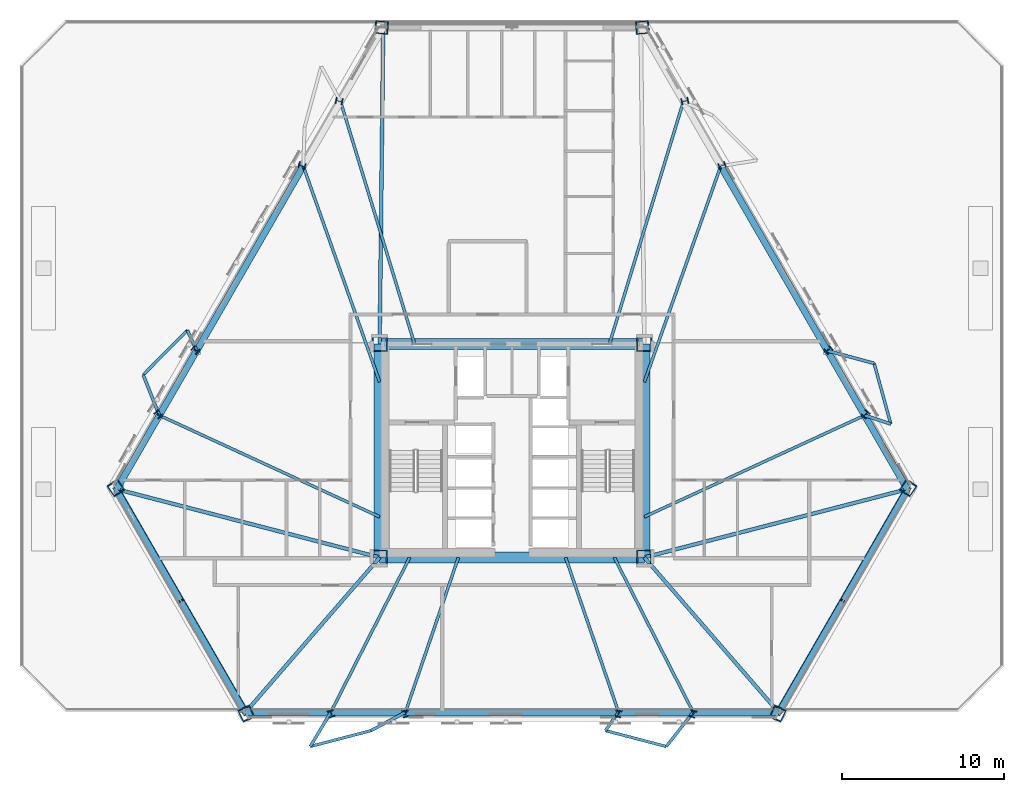
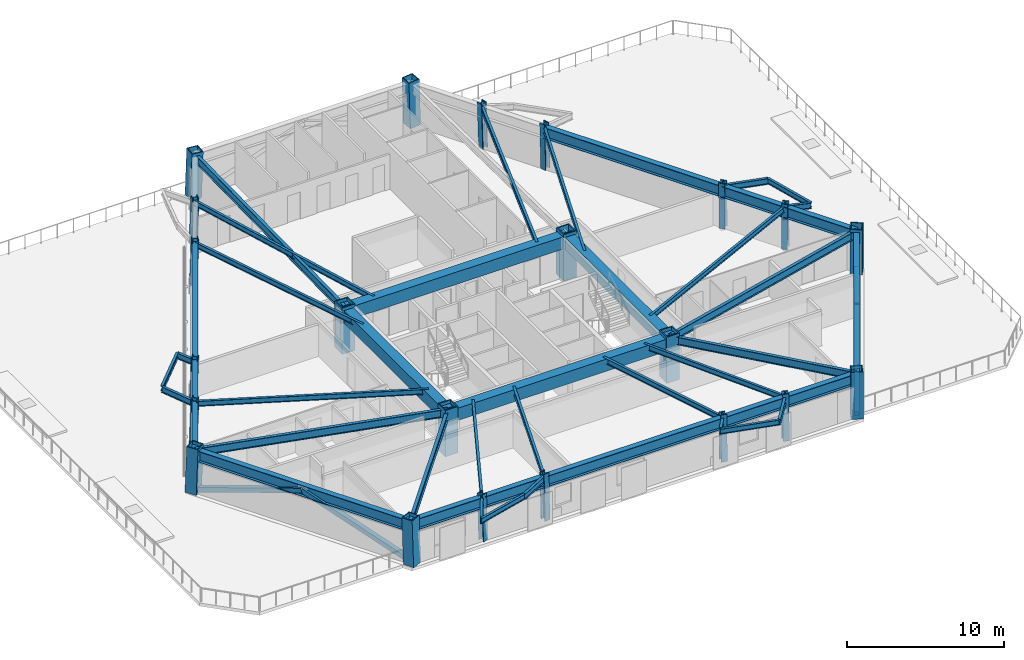
# One storey, part 1 of 14: 44 beams, 22 columns, 4 members.
"""IFC4 building model written with IfcOpenShell, lengths in metres."""

import ifcopenshell
import ifcopenshell.guid

model = None  # the IFC model being written
_history = None  # IfcOwnerHistory: only IFC2X3 demands one
_inside = {}  # id of a spatial element -> (the spatial element, [elements in it])
_under = {}  # id of a project, library or spatial element -> (it, [spatial elements below it])
_declared = {}  # id of a project -> (the project, [libraries it declares])
_typed = {}  # id of a type object -> (the type object, [elements of that type])
_made_of = {}  # id of a material, layer set ... -> (it, [elements and type objects made of it])


def new_model(schema):
    """Start an empty IFC model of exactly this schema.

    Asked for "IFC4X3", IfcOpenShell would pick the latest addendum, in which some entities
    have other attributes; the version numbers below select the first issue.
    IFC2X3 requires an IfcOwnerHistory on every rooted entity: one is made here for all.
    """
    global model, _history
    if schema == "IFC4X3":
        model = ifcopenshell.file(schema_version=(4, 3, 0, 0))
    else:
        model = ifcopenshell.file(schema=schema)
    _inside.clear()
    _under.clear()
    _declared.clear()
    _typed.clear()
    _made_of.clear()
    _history = None
    if model.schema == "IFC2X3":
        org = make("IfcOrganization", Name="unknown")
        user = make(
            "IfcPersonAndOrganization",
            ThePerson=make("IfcPerson", FamilyName="unknown"),
            TheOrganization=org,
        )
        app = make(
            "IfcApplication",
            ApplicationDeveloper=org,
            Version="unknown",
            ApplicationFullName="unknown",
            ApplicationIdentifier="unknown",
        )
        _history = make(
            "IfcOwnerHistory",
            OwningUser=user,
            OwningApplication=app,
            ChangeAction="ADDED",
            CreationDate=0,
        )
    return model


def make(cls, **values):
    """One entity of the class cls with the attributes given. An attribute that is None is left unset."""
    return model.create_entity(
        cls, **{name: value for name, value in values.items() if value is not None}
    )


def rooted(cls, **values):
    """An entity with a GlobalId (a new one), such as an element, a storey or a relation."""
    return make(cls, GlobalId=ifcopenshell.guid.new(), OwnerHistory=_history, **values)


def si_unit(unit_type, name, prefix=None):
    """IfcSIUnit, for example si_unit("LENGTHUNIT", "METRE", prefix="MILLI")."""
    return make("IfcSIUnit", UnitType=unit_type, Prefix=prefix, Name=name)


def assignment(units):
    """IfcUnitAssignment: the units of a project."""
    return None if units is None else make("IfcUnitAssignment", Units=units)


def point(xyz):
    """IfcCartesianPoint."""
    return None if xyz is None else make("IfcCartesianPoint", Coordinates=xyz)


def direction(xyz):
    """IfcDirection."""
    return None if xyz is None else make("IfcDirection", DirectionRatios=xyz)


def frame(location, z_axis=None, x_axis=None):
    """IfcAxis2Placement3D, a coordinate frame: its origin and axes. An axis left out is left unset."""
    return make(
        "IfcAxis2Placement3D",
        Location=point(location),
        Axis=direction(z_axis),
        RefDirection=direction(x_axis),
    )


def frame_2d(location, x_axis=None):
    """IfcAxis2Placement2D, a coordinate frame in the plane: its origin and x axis."""
    return make(
        "IfcAxis2Placement2D", Location=point(location), RefDirection=direction(x_axis)
    )


def origin():
    """The frame at (0, 0, 0) with its axes left unset."""
    return frame((0.0, 0.0, 0.0))


def origin_2d():
    """The frame at (0, 0) in the plane with its x axis left unset."""
    return frame_2d((0.0, 0.0))


def place(relative_to, where):
    """IfcLocalPlacement: puts the frame where relative to a parent placement (None: the world)."""
    return make(
        "IfcLocalPlacement", PlacementRelTo=relative_to, RelativePlacement=where
    )


def context(
    kind, dimensions, precision=None, world=None, true_north=None, identifier=None
):
    """IfcGeometricRepresentationContext, for example the 3D "Model" context."""
    return make(
        "IfcGeometricRepresentationContext",
        ContextIdentifier=identifier,
        ContextType=kind,
        CoordinateSpaceDimension=dimensions,
        Precision=precision,
        WorldCoordinateSystem=world,
        TrueNorth=true_north,
    )


def subcontext(parent, identifier, kind, view, scale=None):
    """IfcGeometricRepresentationSubContext, for example "Body" below "Model"."""
    return make(
        "IfcGeometricRepresentationSubContext",
        ContextIdentifier=identifier,
        ContextType=kind,
        ParentContext=parent,
        TargetScale=scale,
        TargetView=view,
    )


def project(units=None, contexts=None):
    """IfcProject with its units and contexts."""
    return rooted(
        "IfcProject",
        Name="project",
        RepresentationContexts=contexts,
        UnitsInContext=assignment(units),
    )


def spatial(cls, under=None, at=None, **own):
    """A site, building, storey or space (cls), placed at a placement, below another one or the project."""
    s = rooted(cls, ObjectPlacement=at, **own)
    if under is not None:
        _under.setdefault(under.id(), (under, []))[1].append(s)
    return s


def profile(cls, at=None, kind="AREA", **sizes):
    """A parametric profile (cls). Its sizes go by their IFC names, for example OverallWidth=200.0."""
    return make(cls, ProfileType=kind, Position=at, **sizes)


def rectangle(**sizes):
    """IfcRectangleProfileDef."""
    return profile("IfcRectangleProfileDef", **sizes)


def hollow_rectangle(**sizes):
    """IfcRectangleHollowProfileDef."""
    return profile("IfcRectangleHollowProfileDef", **sizes)


def i_section(**sizes):
    """IfcIShapeProfileDef."""
    return profile("IfcIShapeProfileDef", **sizes)


def extrude(swept, where, along, depth):
    """IfcExtrudedAreaSolid: the profile swept, set in the frame where, extruded along a direction by depth."""
    return make(
        "IfcExtrudedAreaSolid",
        SweptArea=swept,
        Position=where,
        ExtrudedDirection=direction(along),
        Depth=depth,
    )


def shape(context_of_items, identifier, shape_type, items):
    """IfcShapeRepresentation: the items that make up one representation, for example the "Body"."""
    return make(
        "IfcShapeRepresentation",
        ContextOfItems=context_of_items,
        RepresentationIdentifier=identifier,
        RepresentationType=shape_type,
        Items=items,
    )


def material(Name=None, Category=None):
    """IfcMaterial."""
    return make("IfcMaterial", Name=Name, Category=Category)


def material_profile(
    of_material, cross_section, Name=None, Category=None, Priority=None
):
    """IfcMaterialProfile: a cross section and its material."""
    return make(
        "IfcMaterialProfile",
        Name=Name,
        Material=of_material,
        Profile=cross_section,
        Priority=Priority,
        Category=Category,
    )


def profile_set(profiles, Name=None, composite=None):
    """IfcMaterialProfileSet."""
    return make(
        "IfcMaterialProfileSet",
        Name=Name,
        MaterialProfiles=profiles,
        CompositeProfile=composite,
    )


def made_of(thing, what):
    """Note that an element or type object is made of a material, layer set ...; save() writes the relation."""
    if what is not None:
        _made_of.setdefault(what.id(), (what, []))[1].append(thing)
    return thing


def type_object(cls, material=None, **own):
    """A type object (cls), such as IfcWallType, which elements share."""
    return made_of(rooted(cls, **own), material)


def element(
    cls,
    number,
    at=None,
    inside=None,
    cuts=None,
    type_object=None,
    material=None,
    context=None,
    identifier="Body",
    shape_type=None,
    held_by="IfcProductDefinitionShape",
    body=None,
    shapes=None,
    **own,
):
    """One element of the class cls, such as IfcWall. Its Tag is "e" and its number.

    at: its placement. inside: the storey or other place that contains it. cuts: it is an
    opening in that element (IfcRelVoidsElement). A single representation is given by context,
    identifier, shape_type and body (its items); several are given by shapes. held_by: the class
    of the entity that holds the representations. save() writes the other relations.
    """
    e = rooted(cls, Tag="e%d" % number, ObjectPlacement=at, **own)
    if body is not None:
        shapes = [shape(context, identifier, shape_type, body)]
    if shapes is not None:
        e.Representation = make(held_by, Representations=shapes)
    if inside is not None:
        _inside.setdefault(inside.id(), (inside, []))[1].append(e)
    if cuts is not None:
        rooted(
            "IfcRelVoidsElement", RelatingBuildingElement=cuts, RelatedOpeningElement=e
        )
    if type_object is not None:
        _typed.setdefault(type_object.id(), (type_object, []))[1].append(e)
    return made_of(e, material)


def aggregate(whole, parts):
    """IfcRelAggregates: a whole, such as a stair, and the parts it consists of."""
    return rooted("IfcRelAggregates", RelatingObject=whole, RelatedObjects=parts)


def save(model, path):
    """Write the relations noted so far, then the file.

    IfcRelAggregates (storeys below a building ...), IfcRelContainedInSpatialStructure (elements
    in a storey), IfcRelDefinesByType, IfcRelAssociatesMaterial and IfcRelDeclares: one each for
    every whole, place, type object, material and project.
    """
    for whole, parts in _under.values():
        aggregate(whole, parts)
    for where, things in _inside.values():
        rooted(
            "IfcRelContainedInSpatialStructure",
            RelatedElements=things,
            RelatingStructure=where,
        )
    for kind, things in _typed.values():
        rooted("IfcRelDefinesByType", RelatedObjects=things, RelatingType=kind)
    for what, things in _made_of.values():
        rooted("IfcRelAssociatesMaterial", RelatedObjects=things, RelatingMaterial=what)
    for by, libraries in _declared.values():
        rooted("IfcRelDeclares", RelatingContext=by, RelatedDefinitions=libraries)
    model.write(path)


model = new_model("IFC4")

# Units and contexts
model_context = context("Model", 3, precision=1e-05, world=origin(), true_north=direction((0.0, 1.0)))
body_context = subcontext(model_context, "Body", "Model", "MODEL_VIEW")
ifc_project = project(units=[si_unit("LENGTHUNIT", "METRE"), si_unit("AREAUNIT", "SQUARE_METRE"), si_unit("VOLUMEUNIT", "CUBIC_METRE"), si_unit("PLANEANGLEUNIT", "RADIAN"), si_unit("MASSUNIT", "GRAM", prefix="KILO")], contexts=[model_context])

# Site, building, storey
site_placement = place(None, origin())
site = spatial("IfcSite", under=ifc_project, at=site_placement, CompositionType="ELEMENT")
building_placement = place(site_placement, origin())
building = spatial("IfcBuilding", under=site, at=building_placement, Name="Oramaril Tower", CompositionType="ELEMENT")
storey_placement = place(building_placement, frame((0.0, 0.0, 27.300048828125)))
storey = spatial("IfcBuildingStorey", under=building, at=storey_placement, Name="L06", CompositionType="ELEMENT", Elevation=27.300048828125)

# Columns
ifc_material_1 = material(Name="Steel ASTM A572 Gr 50", Category="steel")
ifc_material_profile_1 = material_profile(ifc_material_1, hollow_rectangle(XDim=0.949951171875, YDim=0.949951171875, WallThickness=0.080078125, at=origin_2d()), Name="BOX950X950X80")
ifc_profile_set_1 = profile_set([ifc_material_profile_1], Name="Steel ASTM A572 Gr 50")
column_type_1 = type_object("IfcColumnType", Name="CT-CC2", PredefinedType="COLUMN", material=ifc_profile_set_1)
for number, where, z_axis, x_axis, name in (
    (1, (29.35009765625, 11.0, 0.0), (0.0, 0.0, 1.0), (1.0, 0.0, 0.0), "L06 Core Column CC-1"),
    (2, (45.64990234375, 11.0, 0.0), (0.0, 0.0, 1.0), (1.0, 0.0, 0.0), "L06 Core Column CC-2"),
    (3, (45.64990234375, 24.14990234375, 0.0), (0.0, 0.0, 1.0), (1.0, 0.0, 0.0), "L06 Core Column CC-3"),
    (4, (29.35009765625, 24.14990234375, 0.0), (0.0, 0.0, 1.0), (1.0, 0.0, 0.0), "L06 Core Column CC-4"),
):
    element("IfcColumn", number, at=place(storey_placement, frame(where, z_axis=z_axis, x_axis=x_axis)), inside=storey, type_object=column_type_1, Name=name, PredefinedType="COLUMN", context=body_context, shape_type="SweptSolid", body=[
        extrude(hollow_rectangle(XDim=0.949951171875, YDim=0.949951171875, WallThickness=0.080078125, at=origin_2d()), origin(), (0.0, 0.0, 1.0), 3.599853515625),
    ])
ifc_material_2 = material(Name="Steel ASTM A572 Gr 50", Category="steel")
ifc_material_profile_2 = material_profile(ifc_material_2, hollow_rectangle(XDim=0.800048828125, YDim=0.800048828125, WallThickness=0.06494140625, at=origin_2d()), Name="BOX800X800X65")
ifc_profile_set_2 = profile_set([ifc_material_profile_2], Name="Steel ASTM A572 Gr 50")
column_type_2 = type_object("IfcColumnType", Name="CT-TC3", PredefinedType="COLUMN", material=ifc_profile_set_2)
for number, where, z_axis, x_axis, name in (
    (5, (13.089599609375, 15.300048828125, 0.009521484375), (0.018508654619, -0.026878377112, 0.999467349416), (0.82361582146, 0.567148109968, 0.0), "L06 Tube Column TC-01"),
    (6, (21.137939453125, 1.360107421875, 0.009521484375), (-0.014017586739, 0.029464150767, 0.999467543786), (-0.903014655522, -0.429609743736, 0.0), "L06 Tube Column TC-02"),
    (7, (53.862060546875, 1.360107421875, 0.009521484375), (0.014017586739, 0.029464150767, 0.999467543786), (-0.903014655522, 0.429609743736, 0.0), "L06 Tube Column TC-03"),
    (8, (61.910400390625, 15.300048828125, 0.009521484375), (-0.018508654619, -0.026878377112, 0.999467349416), (0.82361582146, -0.567148109968, 0.0), "L06 Tube Column TC-04"),
    (9, (45.548095703125, 43.639892578125, 0.009521484375), (-0.032458269959, -0.002585774127, 0.999469746657), (0.079412973799, -0.996841802691, 0.0), "L06 Tube Column TC-05"),
    (10, (29.451904296875, 43.639892578125, 0.009521484375), (0.032458269959, -0.002585774127, 0.999469746657), (0.079412973799, 0.996841802691, 0.0), "L06 Tube Column TC-06"),
):
    element("IfcColumn", number, at=place(storey_placement, frame(where, z_axis=z_axis, x_axis=x_axis)), inside=storey, type_object=column_type_2, Name=name, PredefinedType="COLUMN", context=body_context, shape_type="SweptSolid", body=[
        extrude(hollow_rectangle(XDim=0.800048828125, YDim=0.800048828125, WallThickness=0.06494140625, at=origin_2d()), origin(), (0.0, 0.0, 1.0), 3.587890625),
    ])
ifc_material_3 = material(Name="Steel ASTM A572 Gr 50", Category="steel")
ifc_material_profile_3 = material_profile(ifc_material_3, i_section(OverallWidth=0.410888671875, OverallDepth=0.43408203125, WebThickness=0.035888671875, FlangeThickness=0.057373046875, at=origin_2d()), Name="W14X311")
ifc_profile_set_3 = profile_set([ifc_material_profile_3], Name="Steel ASTM A572 Gr 50")
column_type_3 = type_object("IfcColumnType", Name="CT-TF2", PredefinedType="COLUMN", material=ifc_profile_set_3)
for number, where, z_axis, x_axis, name in (
    (11, (26.373779296875, 1.360107421875, 0.00439453125), (-0.009513430274, 0.029423680777, 0.999521756469), (-0.951501288789, -0.3076447585, 0.0), "L06 Tube Column TC-07"),
    (12, (30.955078125, 1.360107421875, 0.00439453125), (-0.005572317675, 0.02942455553, 0.999551471815), (-0.98253662464, -0.186069291502, 0.0), "L06 Tube Column TC-08"),
    (13, (44.044921875, 1.360107421875, 0.00439453125), (0.005572317675, 0.02942455553, 0.999551471815), (-0.98253662464, 0.186069291502, 0.0), "L06 Tube Column TC-09"),
    (14, (48.626220703125, 1.360107421875, 0.00439453125), (0.009513430274, 0.029423680777, 0.999521756469), (-0.951501288789, 0.3076447585, 0.0), "L06 Tube Column TC-10"),
    (15, (59.29248046875, 19.83447265625, 0.00439453125), (-0.02072567877, -0.02296812926, 0.999521341082), (0.742419763126, -0.669934993354, 0.0), "L06 Tube Column TC-11"),
    (16, (57.001708984375, 23.802001953125, 0.00439453125), (-0.022696986223, -0.019571053989, 0.999550809445), (0.653029326119, -0.757332621263, 0.0), "L06 Tube Column TC-12"),
    (17, (50.456787109375, 35.137939453125, 0.00439453125), (-0.028269327555, -0.009853491576, 0.99955177646), (0.329136837275, -0.944282236595, 0.0), "L06 Tube Column TC-13"),
    (18, (48.166015625, 39.105712890625, 0.00439453125), (-0.030171215924, -0.006523506146, 0.999523457252), (0.211332792528, -0.97741416544, 0.0), "L06 Tube Column TC-14"),
    (19, (26.833984375, 39.105712890625, 0.00439453125), (0.030171215924, -0.006523506146, 0.999523457252), (0.211332792528, 0.97741416544, 0.0), "L06 Tube Column TC-15"),
    (20, (24.543212890625, 35.137939453125, 0.00439453125), (0.028269327555, -0.009853491576, 0.99955177646), (0.329136837275, 0.944282236595, 0.0), "L06 Tube Column TC-16"),
    (21, (17.998291015625, 23.802001953125, 0.00439453125), (0.022696986223, -0.019571053989, 0.999550809445), (0.653029326119, 0.757332621263, 0.0), "L06 Tube Column TC-17"),
    (22, (15.70751953125, 19.83447265625, 0.00439453125), (0.02072567877, -0.02296812926, 0.999521341082), (0.742419763126, 0.669934993354, 0.0), "L06 Tube Column TC-18"),
):
    element("IfcColumn", number, at=place(storey_placement, frame(where, z_axis=z_axis, x_axis=x_axis)), inside=storey, type_object=column_type_3, Name=name, PredefinedType="COLUMN", context=body_context, shape_type="SweptSolid", body=[
        extrude(i_section(OverallWidth=0.410888671875, OverallDepth=0.43408203125, WebThickness=0.035888671875, FlangeThickness=0.057373046875, at=origin_2d()), origin(), (0.0, 0.0, 1.0), 3.5927734375),
    ])

# Beams
ifc_material_4 = material(Name="Steel ASTM A572 Gr 50", Category="steel")
ifc_material_profile_4 = material_profile(ifc_material_4, i_section(OverallWidth=0.19091796875, OverallDepth=0.45703125, WebThickness=0.009033203125, FlangeThickness=0.014404296875, at=origin_2d()), Name="W18X50")
ifc_profile_set_4 = profile_set([ifc_material_profile_4], Name="Steel ASTM A572 Gr 50")
beam_type_1 = type_object("IfcBeamType", Name="BT-BB1", PredefinedType="BEAM", material=ifc_profile_set_4)
beam_1_placement = place(storey_placement, frame((26.339599609375, 1.4658203125, 3.13134765625), z_axis=(-0.514349697257, -0.857580543699, 0.0), x_axis=(0.857580543699, -0.514349697257, 0.0)))
element("IfcBeam", 23, at=beam_1_placement, inside=storey, type_object=beam_type_1, Name="L06 Balcony Column-Framed Cantilever 01.1", PredefinedType="BEAM", context=body_context, shape_type="SweptSolid", body=[
    extrude(i_section(OverallWidth=0.19091796875, OverallDepth=0.45703125, WebThickness=0.009033203125, FlangeThickness=0.014404296875, at=origin_2d()), origin(), (0.0, 0.0, 1.0), 2.458251953125),
])
beam_2_placement = place(storey_placement, frame((30.93505859375, 1.4658203125, 3.13134765625), z_axis=(-0.882412119533, -0.47047725907, 0.0), x_axis=(0.47047725907, -0.882412119533, 0.0)))
element("IfcBeam", 24, at=beam_2_placement, inside=storey, type_object=beam_type_1, Name="L06 Balcony Column-Framed Cantilever 01.2", PredefinedType="BEAM", context=body_context, shape_type="SweptSolid", body=[
    extrude(i_section(OverallWidth=0.19091796875, OverallDepth=0.45703125, WebThickness=0.009033203125, FlangeThickness=0.014404296875, at=origin_2d()), origin(), (0.0, 0.0, 1.0), 2.39794921875),
])
beam_3_placement = place(storey_placement, frame((44.06494140625, 1.4658203125, 3.13134765625), z_axis=(-0.582784193922, -0.812626964428, 0.0), x_axis=(0.812626964428, -0.582784193922, 0.0)))
element("IfcBeam", 25, at=beam_3_placement, inside=storey, type_object=beam_type_1, Name="L06 Balcony Column-Framed Cantilever 02.1", PredefinedType="BEAM", context=body_context, shape_type="SweptSolid", body=[
    extrude(i_section(OverallWidth=0.19091796875, OverallDepth=0.45703125, WebThickness=0.009033203125, FlangeThickness=0.014404296875, at=origin_2d()), origin(), (0.0, 0.0, 1.0), 1.38818359375),
])
beam_4_placement = place(storey_placement, frame((48.660400390625, 1.4658203125, 3.13134765625), z_axis=(-0.618741240636, -0.785594855594, 0.0), x_axis=(0.785594855594, -0.618741240636, 0.0)))
element("IfcBeam", 26, at=beam_4_placement, inside=storey, type_object=beam_type_1, Name="L06 Balcony Column-Framed Cantilever 02.2", PredefinedType="BEAM", context=body_context, shape_type="SweptSolid", body=[
    extrude(i_section(OverallWidth=0.19091796875, OverallDepth=0.45703125, WebThickness=0.009033203125, FlangeThickness=0.014404296875, at=origin_2d()), origin(), (0.0, 0.0, 1.0), 2.68359375),
])
beam_5_placement = place(storey_placement, frame((59.218017578125, 19.751953125, 3.13134765625), z_axis=(0.949629935405, -0.31337355629, 0.0), x_axis=(0.31337355629, 0.949629935405, 0.0)))
element("IfcBeam", 27, at=beam_5_placement, inside=storey, type_object=beam_type_1, Name="L06 Balcony Column-Framed Cantilever 03.1", PredefinedType="BEAM", context=body_context, shape_type="SweptSolid", body=[
    extrude(i_section(OverallWidth=0.19091796875, OverallDepth=0.45703125, WebThickness=0.009033203125, FlangeThickness=0.014404296875, at=origin_2d()), origin(), (0.0, 0.0, 1.0), 1.694580078125),
])
beam_6_placement = place(storey_placement, frame((56.920166015625, 23.731689453125, 3.13134765625), z_axis=(0.965449033223, -0.260591949701, 0.0), x_axis=(0.260591949701, 0.965449033223, 0.0)))
element("IfcBeam", 28, at=beam_6_placement, inside=storey, type_object=beam_type_1, Name="L06 Balcony Column-Framed Cantilever 03.2", PredefinedType="BEAM", context=body_context, shape_type="SweptSolid", body=[
    extrude(i_section(OverallWidth=0.19091796875, OverallDepth=0.45703125, WebThickness=0.009033203125, FlangeThickness=0.014404296875, at=origin_2d()), origin(), (0.0, 0.0, 1.0), 2.98681640625),
])
beam_7_placement = place(storey_placement, frame((18.079833984375, 23.731689453125, 3.13134765625), z_axis=(-0.412411174129, 0.91099781748, 0.0), x_axis=(-0.91099781748, -0.412411174129, 0.0)))
element("IfcBeam", 29, at=beam_7_placement, inside=storey, type_object=beam_type_1, Name="L06 Balcony Column-Framed Cantilever 06.1", PredefinedType="BEAM", context=body_context, shape_type="SweptSolid", body=[
    extrude(i_section(OverallWidth=0.19091796875, OverallDepth=0.45703125, WebThickness=0.009033203125, FlangeThickness=0.014404296875, at=origin_2d()), origin(), (0.0, 0.0, 1.0), 1.38818359375),
])
beam_8_placement = place(storey_placement, frame((15.781982421875, 19.751953125, 3.13134765625), z_axis=(-0.370935719195, 0.928658544474, 0.0), x_axis=(-0.928658544474, -0.370935719195, 0.0)))
element("IfcBeam", 30, at=beam_8_placement, inside=storey, type_object=beam_type_1, Name="L06 Balcony Column-Framed Cantilever 06.2", PredefinedType="BEAM", context=body_context, shape_type="SweptSolid", body=[
    extrude(i_section(OverallWidth=0.19091796875, OverallDepth=0.45703125, WebThickness=0.009033203125, FlangeThickness=0.014404296875, at=origin_2d()), origin(), (0.0, 0.0, 1.0), 2.683349609375),
])
ifc_material_5 = material(Name="Concrete C50/60", Category="concrete")
ifc_material_profile_5 = material_profile(ifc_material_5, rectangle(XDim=0.699951171875, YDim=0.949951171875, at=origin_2d()), Name="CB700X950")
ifc_profile_set_5 = profile_set([ifc_material_profile_5], Name="Concrete C50/60")
beam_type_2 = type_object("IfcBeamType", Name="BT-CB1", PredefinedType="BEAM", material=ifc_profile_set_5)
beam_9_placement = place(storey_placement, frame((29.35009765625, 11.0, 2.885009765625), z_axis=(1.0, 0.0, 0.0), x_axis=(0.0, 1.0, 0.0)))
element("IfcBeam", 31, at=beam_9_placement, inside=storey, type_object=beam_type_2, Name="L06 Core Header Beam CB-1", PredefinedType="BEAM", context=body_context, shape_type="SweptSolid", body=[
    extrude(rectangle(XDim=0.699951171875, YDim=0.949951171875, at=origin_2d()), origin(), (0.0, 0.0, 1.0), 16.2998046875),
])
beam_10_placement = place(storey_placement, frame((45.64990234375, 11.0, 2.885009765625), z_axis=(0.0, 1.0, 0.0), x_axis=(-1.0, 0.0, 0.0)))
element("IfcBeam", 32, at=beam_10_placement, inside=storey, type_object=beam_type_2, Name="L06 Core Header Beam CB-2", PredefinedType="BEAM", context=body_context, shape_type="SweptSolid", body=[
    extrude(rectangle(XDim=0.699951171875, YDim=0.949951171875, at=origin_2d()), origin(), (0.0, 0.0, 1.0), 13.14990234375),
])
beam_11_placement = place(storey_placement, frame((45.64990234375, 24.14990234375, 2.885009765625), z_axis=(-1.0, 0.0, 0.0), x_axis=(0.0, -1.0, 0.0)))
element("IfcBeam", 33, at=beam_11_placement, inside=storey, type_object=beam_type_2, Name="L06 Core Header Beam CB-3", PredefinedType="BEAM", context=body_context, shape_type="SweptSolid", body=[
    extrude(rectangle(XDim=0.699951171875, YDim=0.949951171875, at=origin_2d()), origin(), (0.0, 0.0, 1.0), 16.2998046875),
])
beam_12_placement = place(storey_placement, frame((29.35009765625, 24.14990234375, 2.885009765625), z_axis=(0.0, -1.0, 0.0), x_axis=(1.0, 0.0, 0.0)))
element("IfcBeam", 34, at=beam_12_placement, inside=storey, type_object=beam_type_2, Name="L06 Core Header Beam CB-4", PredefinedType="BEAM", context=body_context, shape_type="SweptSolid", body=[
    extrude(rectangle(XDim=0.699951171875, YDim=0.949951171875, at=origin_2d()), origin(), (0.0, 0.0, 1.0), 13.14990234375),
])
ifc_material_6 = material(Name="Steel ASTM A572 Gr 50", Category="steel")
ifc_material_profile_6 = material_profile(ifc_material_6, i_section(OverallWidth=0.22900390625, OverallDepth=0.612060546875, WebThickness=0.011962890625, FlangeThickness=0.01953125, at=origin_2d()), Name="W24X84")
ifc_profile_set_6 = profile_set([ifc_material_profile_6], Name="Steel ASTM A572 Gr 50")
beam_type_3 = type_object("IfcBeamType", Name="BT-FB1", PredefinedType="BEAM", material=ifc_profile_set_6)
beam_13_placement = place(storey_placement, frame((29.35009765625, 11.0, 3.053955078125), z_axis=(-0.967922149431, 0.251250298788, 0.0), x_axis=(-0.251250298788, -0.967922149431, 0.0)))
element("IfcBeam", 35, at=beam_13_placement, inside=storey, type_object=beam_type_3, Name="L06 Radial Primary Beam RB-01", PredefinedType="BEAM", context=body_context, shape_type="SweptSolid", body=[
    extrude(i_section(OverallWidth=0.22900390625, OverallDepth=0.612060546875, WebThickness=0.011962890625, FlangeThickness=0.01953125, at=origin_2d()), origin(), (0.0, 0.0, 1.0), 16.730712890625),
])
for number, where, z_axis, x_axis, name in (
    (36, (29.35009765625, 11.0, 3.053955078125), (-0.654907699598, -0.755708875829, 0.0), (0.755708875829, -0.654907699598, 0.0), "L06 Radial Primary Beam RB-02"),
    (37, (45.64990234375, 11.0, 3.053955078125), (0.654907699598, -0.755708875829, 0.0), (0.755708875829, 0.654907699598, 0.0), "L06 Radial Primary Beam RB-03"),
):
    element("IfcBeam", number, at=place(storey_placement, frame(where, z_axis=z_axis, x_axis=x_axis)), inside=storey, type_object=beam_type_3, Name=name, PredefinedType="BEAM", context=body_context, shape_type="SweptSolid", body=[
        extrude(i_section(OverallWidth=0.22900390625, OverallDepth=0.612060546875, WebThickness=0.011962890625, FlangeThickness=0.01953125, at=origin_2d()), origin(), (0.0, 0.0, 1.0), 12.6162109375),
    ])
beam_14_placement = place(storey_placement, frame((45.64990234375, 11.0, 3.053955078125), z_axis=(0.967922149431, 0.251250298788, 0.0), x_axis=(-0.251250298788, 0.967922149431, 0.0)))
element("IfcBeam", 38, at=beam_14_placement, inside=storey, type_object=beam_type_3, Name="L06 Radial Primary Beam RB-04", PredefinedType="BEAM", context=body_context, shape_type="SweptSolid", body=[
    extrude(i_section(OverallWidth=0.22900390625, OverallDepth=0.612060546875, WebThickness=0.011962890625, FlangeThickness=0.01953125, at=origin_2d()), origin(), (0.0, 0.0, 1.0), 16.730712890625),
])
beam_15_placement = place(storey_placement, frame((29.35009765625, 24.14990234375, 3.053955078125), z_axis=(0.011203287176, 0.999937241209, 0.0), x_axis=(-0.999937241209, 0.011203287176, 0.0)))
element("IfcBeam", 39, at=beam_15_placement, inside=storey, type_object=beam_type_3, Name="L06 Radial Primary Beam RB-06", PredefinedType="BEAM", context=body_context, shape_type="SweptSolid", body=[
    extrude(i_section(OverallWidth=0.22900390625, OverallDepth=0.612060546875, WebThickness=0.011962890625, FlangeThickness=0.01953125, at=origin_2d()), origin(), (0.0, 0.0, 1.0), 19.48193359375),
])
ifc_material_7 = material(Name="Steel ASTM A572 Gr 50", Category="steel")
ifc_material_profile_7 = material_profile(ifc_material_7, i_section(OverallWidth=0.177978515625, OverallDepth=0.404052734375, WebThickness=0.007568359375, FlangeThickness=0.010986328125, at=origin_2d()), Name="W16X36")
ifc_profile_set_7 = profile_set([ifc_material_profile_7], Name="Steel ASTM A572 Gr 50")
beam_type_4 = type_object("IfcBeamType", Name="BT-SB1", PredefinedType="BEAM", material=ifc_profile_set_7)
beam_16_placement = place(storey_placement, frame((31.199951171875, 11.0, 3.157958984375), z_axis=(-0.454171825286, -0.890914110965, 0.0), x_axis=(0.890914110965, -0.454171825286, 0.0)))
element("IfcBeam", 40, at=beam_16_placement, inside=storey, type_object=beam_type_4, Name="L06 Secondary Floor Beam SB-01", PredefinedType="BEAM", context=body_context, shape_type="SweptSolid", body=[
    extrude(i_section(OverallWidth=0.177978515625, OverallDepth=0.404052734375, WebThickness=0.007568359375, FlangeThickness=0.010986328125, at=origin_2d()), origin(), (0.0, 0.0, 1.0), 10.70166015625),
])
for number, where, z_axis, x_axis, name in (
    (41, (34.199951171875, 11.0, 3.157958984375), (-0.32397188604, -0.946066708565, 0.0), (0.946066708565, -0.32397188604, 0.0), "L06 Secondary Floor Beam SB-02"),
    (42, (40.800048828125, 11.0, 3.157958984375), (0.32397188604, -0.946066708565, 0.0), (0.946066708565, 0.32397188604, 0.0), "L06 Secondary Floor Beam SB-03"),
):
    element("IfcBeam", number, at=place(storey_placement, frame(where, z_axis=z_axis, x_axis=x_axis)), inside=storey, type_object=beam_type_4, Name=name, PredefinedType="BEAM", context=body_context, shape_type="SweptSolid", body=[
        extrude(i_section(OverallWidth=0.177978515625, OverallDepth=0.404052734375, WebThickness=0.007568359375, FlangeThickness=0.010986328125, at=origin_2d()), origin(), (0.0, 0.0, 1.0), 10.07763671875),
    ])
beam_17_placement = place(storey_placement, frame((43.800048828125, 11.0, 3.157958984375), z_axis=(0.454171825286, -0.890914110965, 0.0), x_axis=(0.890914110965, 0.454171825286, 0.0)))
element("IfcBeam", 43, at=beam_17_placement, inside=storey, type_object=beam_type_4, Name="L06 Secondary Floor Beam SB-04", PredefinedType="BEAM", context=body_context, shape_type="SweptSolid", body=[
    extrude(i_section(OverallWidth=0.177978515625, OverallDepth=0.404052734375, WebThickness=0.007568359375, FlangeThickness=0.010986328125, at=origin_2d()), origin(), (0.0, 0.0, 1.0), 10.70166015625),
])
beam_18_placement = place(storey_placement, frame((45.64990234375, 13.5, 3.157958984375), z_axis=(0.90822036526, 0.418492255755, 0.0), x_axis=(-0.418492255755, 0.90822036526, 0.0)))
element("IfcBeam", 44, at=beam_18_placement, inside=storey, type_object=beam_type_4, Name="L06 Secondary Floor Beam SB-05", PredefinedType="BEAM", context=body_context, shape_type="SweptSolid", body=[
    extrude(i_section(OverallWidth=0.177978515625, OverallDepth=0.404052734375, WebThickness=0.007568359375, FlangeThickness=0.010986328125, at=origin_2d()), origin(), (0.0, 0.0, 1.0), 14.939208984375),
])
beam_19_placement = place(storey_placement, frame((45.64990234375, 21.800048828125, 3.157958984375), z_axis=(0.333470771599, 0.942760438547, 0.0), x_axis=(-0.942760438547, 0.333470771599, 0.0)))
element("IfcBeam", 45, at=beam_19_placement, inside=storey, type_object=beam_type_4, Name="L06 Secondary Floor Beam SB-06", PredefinedType="BEAM", context=body_context, shape_type="SweptSolid", body=[
    extrude(i_section(OverallWidth=0.177978515625, OverallDepth=0.404052734375, WebThickness=0.007568359375, FlangeThickness=0.010986328125, at=origin_2d()), origin(), (0.0, 0.0, 1.0), 14.110107421875),
])
for number, where, z_axis, x_axis, name in (
    (46, (43.5, 24.14990234375, 3.157958984375), (0.291922544058, 0.956441962835, 0.0), (-0.956441962835, 0.291922544058, 0.0), "L06 Secondary Floor Beam SB-07"),
    (47, (31.5, 24.14990234375, 3.157958984375), (-0.291922544058, 0.956441962835, 0.0), (-0.956441962835, -0.291922544058, 0.0), "L06 Secondary Floor Beam SB-08"),
):
    element("IfcBeam", number, at=place(storey_placement, frame(where, z_axis=z_axis, x_axis=x_axis)), inside=storey, type_object=beam_type_4, Name=name, PredefinedType="BEAM", context=body_context, shape_type="SweptSolid", body=[
        extrude(i_section(OverallWidth=0.177978515625, OverallDepth=0.404052734375, WebThickness=0.007568359375, FlangeThickness=0.010986328125, at=origin_2d()), origin(), (0.0, 0.0, 1.0), 15.6123046875),
    ])
beam_20_placement = place(storey_placement, frame((29.35009765625, 21.800048828125, 3.157958984375), z_axis=(-0.333470771599, 0.942760438547, 0.0), x_axis=(-0.942760438547, -0.333470771599, 0.0)))
element("IfcBeam", 48, at=beam_20_placement, inside=storey, type_object=beam_type_4, Name="L06 Secondary Floor Beam SB-09", PredefinedType="BEAM", context=body_context, shape_type="SweptSolid", body=[
    extrude(i_section(OverallWidth=0.177978515625, OverallDepth=0.404052734375, WebThickness=0.007568359375, FlangeThickness=0.010986328125, at=origin_2d()), origin(), (0.0, 0.0, 1.0), 14.110107421875),
])
beam_21_placement = place(storey_placement, frame((29.35009765625, 13.5, 3.157958984375), z_axis=(-0.90822036526, 0.418492255755, 0.0), x_axis=(-0.418492255755, -0.90822036526, 0.0)))
element("IfcBeam", 49, at=beam_21_placement, inside=storey, type_object=beam_type_4, Name="L06 Secondary Floor Beam SB-10", PredefinedType="BEAM", context=body_context, shape_type="SweptSolid", body=[
    extrude(i_section(OverallWidth=0.177978515625, OverallDepth=0.404052734375, WebThickness=0.007568359375, FlangeThickness=0.010986328125, at=origin_2d()), origin(), (0.0, 0.0, 1.0), 14.939208984375),
])
beam_22_placement = place(storey_placement, frame((25.0751953125, -0.642333984375, 3.157958984375), z_axis=(0.967407922874, 0.253223045479, 0.0), x_axis=(-0.253223045479, 0.967407922874, 0.0)))
element("IfcBeam", 50, at=beam_22_placement, inside=storey, type_object=beam_type_4, Name="L06 Balcony Edge Tie Beam 01", PredefinedType="BEAM", context=body_context, shape_type="SweptSolid", body=[
    extrude(i_section(OverallWidth=0.177978515625, OverallDepth=0.404052734375, WebThickness=0.007568359375, FlangeThickness=0.010986328125, at=origin_2d()), origin(), (0.0, 0.0, 1.0), 3.8701171875),
])
beam_23_placement = place(storey_placement, frame((43.255859375, 0.337646484375, 3.157958984375), z_axis=(0.967411967632, -0.253207592467, 0.0), x_axis=(0.253207592467, 0.967411967632, 0.0)))
element("IfcBeam", 51, at=beam_23_placement, inside=storey, type_object=beam_type_4, Name="L06 Balcony Edge Tie Beam 02", PredefinedType="BEAM", context=body_context, shape_type="SweptSolid", body=[
    extrude(i_section(OverallWidth=0.177978515625, OverallDepth=0.404052734375, WebThickness=0.007568359375, FlangeThickness=0.010986328125, at=origin_2d()), origin(), (0.0, 0.0, 1.0), 3.870361328125),
])
for number, where, z_axis, x_axis, name in (
    (52, (60.8271484375, 19.220947265625, 3.157958984375), (-0.264440915482, 0.964401888332, 0.0), (-0.964401888332, -0.264440915482, 0.0), "L06 Balcony Edge Tie Beam 03"),
    (53, (17.50732421875, 24.996337890625, 3.157958984375), (-0.702994511648, -0.71119527318, 0.0), (0.71119527318, -0.702994511648, 0.0), "L06 Balcony Edge Tie Beam 06"),
):
    element("IfcBeam", number, at=place(storey_placement, frame(where, z_axis=z_axis, x_axis=x_axis)), inside=storey, type_object=beam_type_4, Name=name, PredefinedType="BEAM", context=body_context, shape_type="SweptSolid", body=[
        extrude(i_section(OverallWidth=0.177978515625, OverallDepth=0.404052734375, WebThickness=0.007568359375, FlangeThickness=0.010986328125, at=origin_2d()), origin(), (0.0, 0.0, 1.0), 3.8701171875),
    ])
ifc_material_8 = material(Name="Steel ASTM A572 Gr 50", Category="steel")
ifc_material_profile_8 = material_profile(ifc_material_8, i_section(OverallWidth=0.40087890625, OverallDepth=0.85595703125, WebThickness=0.018310546875, FlangeThickness=0.029296875, at=origin_2d()), Name="W33X201")
ifc_profile_set_8 = profile_set([ifc_material_profile_8], Name="Steel ASTM A572 Gr 50")
beam_type_5 = type_object("IfcBeamType", Name="BT-SP1", PredefinedType="SPANDREL", material=ifc_profile_set_8)
beam_24_placement = place(storey_placement, frame((13.156005859375, 15.20361328125, 2.931884765625), z_axis=(0.500005775488, -0.866022069279, 0.0), x_axis=(0.866022069279, 0.500005775488, 0.0)))
element("IfcBeam", 54, at=beam_24_placement, inside=storey, type_object=beam_type_5, Name="L06 Perimeter Spandrel 01", PredefinedType="SPANDREL", context=body_context, shape_type="SweptSolid", body=[
    extrude(i_section(OverallWidth=0.40087890625, OverallDepth=0.85595703125, WebThickness=0.018310546875, FlangeThickness=0.029296875, at=origin_2d()), origin(), (0.0, 0.0, 1.0), 15.863037109375),
])
beam_25_placement = place(storey_placement, frame((21.087646484375, 1.4658203125, 2.931884765625), z_axis=(1.0, 0.0, 0.0), x_axis=(0.0, 1.0, 0.0)))
element("IfcBeam", 55, at=beam_25_placement, inside=storey, type_object=beam_type_5, Name="L06 Perimeter Spandrel 02", PredefinedType="SPANDREL", context=body_context, shape_type="SweptSolid", body=[
    extrude(i_section(OverallWidth=0.40087890625, OverallDepth=0.85595703125, WebThickness=0.018310546875, FlangeThickness=0.029296875, at=origin_2d()), origin(), (0.0, 0.0, 1.0), 5.251953125),
])
beam_26_placement = place(storey_placement, frame((26.339599609375, 1.4658203125, 2.931884765625), z_axis=(1.0, 0.0, 0.0), x_axis=(0.0, 1.0, 0.0)))
element("IfcBeam", 56, at=beam_26_placement, inside=storey, type_object=beam_type_5, Name="L06 Perimeter Spandrel 03", PredefinedType="SPANDREL", context=body_context, shape_type="SweptSolid", body=[
    extrude(i_section(OverallWidth=0.40087890625, OverallDepth=0.85595703125, WebThickness=0.018310546875, FlangeThickness=0.029296875, at=origin_2d()), origin(), (0.0, 0.0, 1.0), 4.595458984375),
])
beam_27_placement = place(storey_placement, frame((30.93505859375, 1.4658203125, 2.931884765625), z_axis=(1.0, 0.0, 0.0), x_axis=(0.0, 1.0, 0.0)))
element("IfcBeam", 57, at=beam_27_placement, inside=storey, type_object=beam_type_5, Name="L06 Perimeter Spandrel 04", PredefinedType="SPANDREL", context=body_context, shape_type="SweptSolid", body=[
    extrude(i_section(OverallWidth=0.40087890625, OverallDepth=0.85595703125, WebThickness=0.018310546875, FlangeThickness=0.029296875, at=origin_2d()), origin(), (0.0, 0.0, 1.0), 13.1298828125),
])
beam_28_placement = place(storey_placement, frame((44.06494140625, 1.4658203125, 2.931884765625), z_axis=(1.0, 0.0, 0.0), x_axis=(0.0, 1.0, 0.0)))
element("IfcBeam", 58, at=beam_28_placement, inside=storey, type_object=beam_type_5, Name="L06 Perimeter Spandrel 05", PredefinedType="SPANDREL", context=body_context, shape_type="SweptSolid", body=[
    extrude(i_section(OverallWidth=0.40087890625, OverallDepth=0.85595703125, WebThickness=0.018310546875, FlangeThickness=0.029296875, at=origin_2d()), origin(), (0.0, 0.0, 1.0), 4.595458984375),
])
beam_29_placement = place(storey_placement, frame((48.660400390625, 1.4658203125, 2.931884765625), z_axis=(1.0, 0.0, 0.0), x_axis=(0.0, 1.0, 0.0)))
element("IfcBeam", 59, at=beam_29_placement, inside=storey, type_object=beam_type_5, Name="L06 Perimeter Spandrel 06", PredefinedType="SPANDREL", context=body_context, shape_type="SweptSolid", body=[
    extrude(i_section(OverallWidth=0.40087890625, OverallDepth=0.85595703125, WebThickness=0.018310546875, FlangeThickness=0.029296875, at=origin_2d()), origin(), (0.0, 0.0, 1.0), 5.251953125),
])
beam_30_placement = place(storey_placement, frame((53.912353515625, 1.4658203125, 2.931884765625), z_axis=(0.500005775488, 0.866022069279, 0.0), x_axis=(-0.866022069279, 0.500005775488, 0.0)))
element("IfcBeam", 60, at=beam_30_placement, inside=storey, type_object=beam_type_5, Name="L06 Perimeter Spandrel 07", PredefinedType="SPANDREL", context=body_context, shape_type="SweptSolid", body=[
    extrude(i_section(OverallWidth=0.40087890625, OverallDepth=0.85595703125, WebThickness=0.018310546875, FlangeThickness=0.029296875, at=origin_2d()), origin(), (0.0, 0.0, 1.0), 15.863037109375),
])
beam_31_placement = place(storey_placement, frame((61.843994140625, 15.20361328125, 2.931884765625), z_axis=(-0.499998761798, 0.866026118659, 0.0), x_axis=(-0.866026118659, -0.499998761798, 0.0)))
element("IfcBeam", 61, at=beam_31_placement, inside=storey, type_object=beam_type_5, Name="L06 Perimeter Spandrel 08", PredefinedType="SPANDREL", context=body_context, shape_type="SweptSolid", body=[
    extrude(i_section(OverallWidth=0.40087890625, OverallDepth=0.85595703125, WebThickness=0.018310546875, FlangeThickness=0.029296875, at=origin_2d()), origin(), (0.0, 0.0, 1.0), 5.251953125),
])
beam_32_placement = place(storey_placement, frame((59.218017578125, 19.751953125, 2.931884765625), z_axis=(-0.50002443504, 0.866011295748, 0.0), x_axis=(-0.866011295748, -0.50002443504, 0.0)))
element("IfcBeam", 62, at=beam_32_placement, inside=storey, type_object=beam_type_5, Name="L06 Perimeter Spandrel 09", PredefinedType="SPANDREL", context=body_context, shape_type="SweptSolid", body=[
    extrude(i_section(OverallWidth=0.40087890625, OverallDepth=0.85595703125, WebThickness=0.018310546875, FlangeThickness=0.029296875, at=origin_2d()), origin(), (0.0, 0.0, 1.0), 4.595458984375),
])
for number, where, z_axis, x_axis, name in (
    (63, (56.920166015625, 23.731689453125, 2.931884765625), (-0.499998761798, 0.866026118659, 0.0), (-0.866026118659, -0.499998761798, 0.0), "L06 Perimeter Spandrel 10"),
    (64, (24.644775390625, 35.1025390625, 2.931884765625), (-0.499998761798, -0.866026118659, 0.0), (0.866026118659, -0.499998761798, 0.0), "L06 Perimeter Spandrel 16"),
):
    element("IfcBeam", number, at=place(storey_placement, frame(where, z_axis=z_axis, x_axis=x_axis)), inside=storey, type_object=beam_type_5, Name=name, PredefinedType="SPANDREL", context=body_context, shape_type="SweptSolid", body=[
        extrude(i_section(OverallWidth=0.40087890625, OverallDepth=0.85595703125, WebThickness=0.018310546875, FlangeThickness=0.029296875, at=origin_2d()), origin(), (0.0, 0.0, 1.0), 13.1298828125),
    ])
beam_33_placement = place(storey_placement, frame((18.079833984375, 23.731689453125, 2.931884765625), z_axis=(-0.50002443504, -0.866011295748, 0.0), x_axis=(0.866011295748, -0.50002443504, 0.0)))
element("IfcBeam", 65, at=beam_33_placement, inside=storey, type_object=beam_type_5, Name="L06 Perimeter Spandrel 17", PredefinedType="SPANDREL", context=body_context, shape_type="SweptSolid", body=[
    extrude(i_section(OverallWidth=0.40087890625, OverallDepth=0.85595703125, WebThickness=0.018310546875, FlangeThickness=0.029296875, at=origin_2d()), origin(), (0.0, 0.0, 1.0), 4.595458984375),
])
beam_34_placement = place(storey_placement, frame((15.781982421875, 19.751953125, 2.931884765625), z_axis=(-0.499998761798, -0.866026118659, 0.0), x_axis=(0.866026118659, -0.499998761798, 0.0)))
element("IfcBeam", 66, at=beam_34_placement, inside=storey, type_object=beam_type_5, Name="L06 Perimeter Spandrel 18", PredefinedType="SPANDREL", context=body_context, shape_type="SweptSolid", body=[
    extrude(i_section(OverallWidth=0.40087890625, OverallDepth=0.85595703125, WebThickness=0.018310546875, FlangeThickness=0.029296875, at=origin_2d()), origin(), (0.0, 0.0, 1.0), 5.251953125),
])

# Members
ifc_material_9 = material(Name="Steel ASTM A572 Gr 50", Category="steel")
ifc_material_profile_9 = material_profile(ifc_material_9, hollow_rectangle(XDim=0.35009765625, YDim=0.35009765625, WallThickness=0.01611328125, at=origin_2d()), Name="HSS350X350X16")
ifc_profile_set_9 = profile_set([ifc_material_profile_9], Name="Steel ASTM A572 Gr 50")
member_type = type_object("IfcMemberType", Name="MT-KB1", PredefinedType="BRACE", material=ifc_profile_set_9)
for number, where, z_axis, x_axis, name in (
    (67, (13.089599609375, 15.300048828125, 0.179931640625), (0.473112042534, -0.819442801815, 0.323540553506), (0.866022419898, 0.500005168208, 0.0), "L06 Perimeter Chevron Brace KB-1A"),
    (68, (21.137939453125, 1.360107421875, 0.179931640625), (-0.473112042534, 0.819442801815, 0.323540553506), (-0.866022419898, -0.500005168208, 0.0), "L06 Perimeter Chevron Brace KB-1B"),
    (69, (53.862060546875, 1.360107421875, 0.179931640625), (0.473112042534, 0.819442801815, 0.323540553506), (-0.866022419898, 0.500005168208, 0.0), "L06 Perimeter Chevron Brace KB-2A"),
    (70, (61.910400390625, 15.300048828125, 0.179931640625), (-0.473112042534, -0.819442801815, 0.323540553506), (0.866022419898, -0.500005168208, 0.0), "L06 Perimeter Chevron Brace KB-2B"),
):
    element("IfcMember", number, at=place(storey_placement, frame(where, z_axis=z_axis, x_axis=x_axis)), inside=storey, type_object=member_type, Name=name, PredefinedType="BRACE", context=body_context, shape_type="SweptSolid", body=[
        extrude(hollow_rectangle(XDim=0.35009765625, YDim=0.35009765625, WallThickness=0.01611328125, at=origin_2d()), origin(), (0.0, 0.0, 1.0), 8.505859375),
    ])

save(model, "model.ifc")
